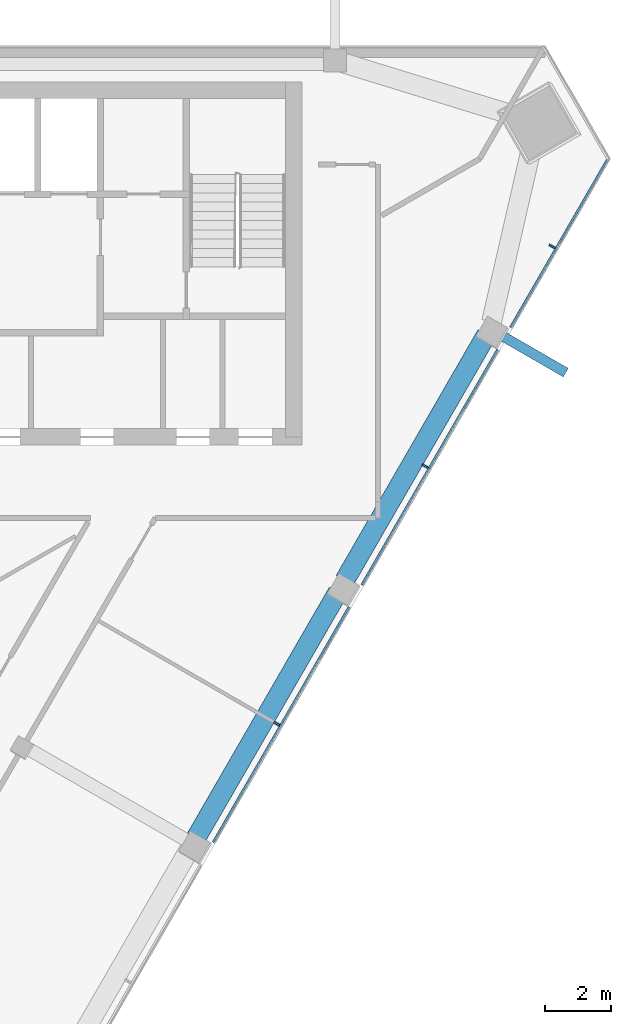
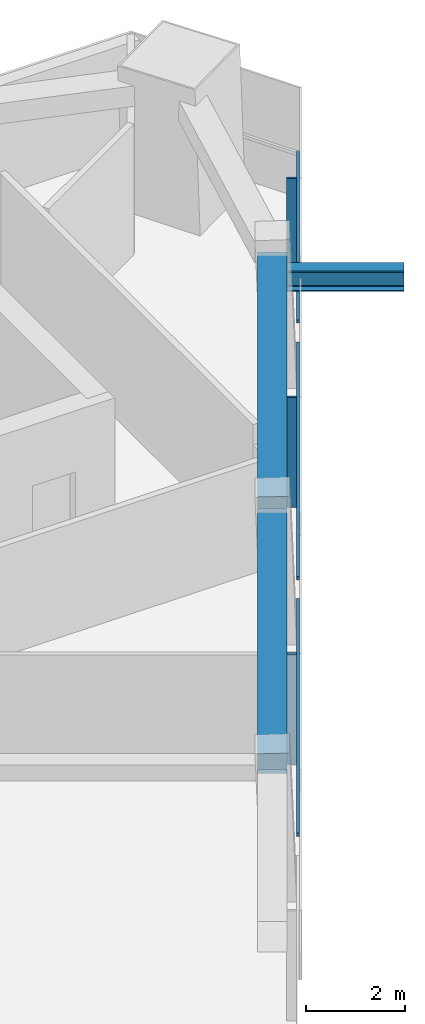
# One storey, part 4 of 9: 7 members, 2 beams, 1 element without a shape of its own.
"""IFC4 building model written with IfcOpenShell, lengths in metres."""

from ifc_helpers import new_model, si_unit, direction, frame, origin, origin_2d, place, context, subcontext, project, spatial, rectangle, i_section, extrude, material, layer, layer_set, material_profile, profile_set, type_object, element, aggregate, save


model = new_model("IFC4")

# Units and contexts
model_context = context("Model", 3, precision=1e-05, world=origin(), true_north=direction((0.0, 1.0)))
body_context = subcontext(model_context, "Body", "Model", "MODEL_VIEW")
ifc_project = project(units=[si_unit("LENGTHUNIT", "METRE"), si_unit("AREAUNIT", "SQUARE_METRE"), si_unit("VOLUMEUNIT", "CUBIC_METRE"), si_unit("PLANEANGLEUNIT", "RADIAN"), si_unit("MASSUNIT", "GRAM", prefix="KILO")], contexts=[model_context])

# Site, building, storey
site_placement = place(None, origin())
site = spatial("IfcSite", under=ifc_project, at=site_placement, CompositionType="ELEMENT")
building_placement = place(site_placement, origin())
building = spatial("IfcBuilding", under=site, at=building_placement, Name="Altiplano Prism Tower", CompositionType="ELEMENT")
storey_placement = place(building_placement, frame((0.0, 0.0, 309.39990234375)))
storey = spatial("IfcBuildingStorey", under=building, at=storey_placement, Name="L80", CompositionType="ELEMENT", Elevation=309.39990234375)

# Member
ifc_material_1 = material(Name="Steel S355", Category="steel")
ifc_material_profile_1 = material_profile(ifc_material_1, i_section(OverallWidth=0.300048828125, OverallDepth=0.5, WebThickness=0.014404296875, FlangeThickness=0.028076171875, FilletRadius=0.027099609375, at=origin_2d()), Name="Brace bracket HEB 500")
ifc_profile_set_1 = profile_set([ifc_material_profile_1], Name="Steel S355")
member_type_1 = type_object("IfcMemberType", Name="Brace bracket HEB 500", PredefinedType="STRUT", material=ifc_profile_set_1)
member_1_placement = place(storey_placement, frame((103.192138671875, 96.423095703125, 2.4365234375), z_axis=(0.866029095148, -0.499993606316, 0.0), x_axis=(0.499993606316, 0.866029095148, 0.0)))
element("IfcMember", 1, at=member_1_placement, inside=storey, type_object=member_type_1, Name="Brace bracket 2.313", PredefinedType="STRUT", context=body_context, shape_type="SweptSolid", body=[
    extrude(i_section(OverallWidth=0.300048828125, OverallDepth=0.5, WebThickness=0.014404296875, FlangeThickness=0.028076171875, FilletRadius=0.027099609375, at=origin_2d()), origin(), (0.0, 0.0, 1.0), 2.64990234375),
])

# Curtain wall, members
ifc_material_2 = material(Name="Aluminium and glass", Category="aluminium")
ifc_layer = layer(ifc_material_2, 0.303955078125)
ifc_layer_set = layer_set([ifc_layer], Name="Aluminium and glass")
curtain_wall_type = type_object("IfcCurtainWallType", Name="CW2 lounge-band unitised glazing", PredefinedType="NOTDEFINED", material=ifc_layer_set)
curtain_wall_placement = place(storey_placement, origin())
curtain_wall = element("IfcCurtainWall", 2, at=curtain_wall_placement, inside=storey, type_object=curtain_wall_type, Name="CW2 curtain wall south-east face L80", PredefinedType="NOTDEFINED")
ifc_material_3 = material(Name="Aluminium", Category="aluminium")
ifc_material_profile_2 = material_profile(ifc_material_3, rectangle(XDim=0.199951171875, YDim=0.06005859375, at=origin_2d()), Name="CW2 mullion 60 x 200")
ifc_profile_set_2 = profile_set([ifc_material_profile_2], Name="Aluminium")
member_type_2 = type_object("IfcMemberType", Name="CW2 mullion 60 x 200", PredefinedType="MULLION", material=ifc_profile_set_2)
member_2_placement = place(storey_placement, frame((96.735107421875, 84.47021484375, 0.0), z_axis=(0.0, 0.0, 1.0), x_axis=(-0.866025402702, 0.500000001874, 0.0)))
member_2 = element("IfcMember", 3, at=member_2_placement, type_object=member_type_2, Name="CW2 mullion", PredefinedType="MULLION", context=body_context, shape_type="SweptSolid", body=[
    extrude(rectangle(XDim=0.199951171875, YDim=0.06005859375, at=origin_2d()), origin(), (0.0, 0.0, 1.0), 2.7001953125),
])
member_3_placement = place(storey_placement, frame((101.235107421875, 92.264404296875, 0.0), z_axis=(0.0, 0.0, 1.0), x_axis=(-0.866025402702, 0.500000001874, 0.0)))
member_3 = element("IfcMember", 4, at=member_3_placement, type_object=member_type_2, Name="CW2 mullion", PredefinedType="MULLION", context=body_context, shape_type="SweptSolid", body=[
    extrude(rectangle(XDim=0.199951171875, YDim=0.06005859375, at=origin_2d()), origin(), (0.0, 0.0, 1.0), 2.7001953125),
])
member_4_placement = place(storey_placement, frame((105.075439453125, 98.916015625, 0.0), z_axis=(0.0, 0.0, 1.0), x_axis=(-0.866025402702, 0.500000001874, 0.0)))
member_4 = element("IfcMember", 5, at=member_4_placement, type_object=member_type_2, Name="CW2 mullion", PredefinedType="MULLION", context=body_context, shape_type="SweptSolid", body=[
    extrude(rectangle(XDim=0.199951171875, YDim=0.06005859375, at=origin_2d()), origin(), (0.0, 0.0, 1.0), 2.7001953125),
])
ifc_material_profile_3 = material_profile(ifc_material_3, rectangle(XDim=0.06005859375, YDim=0.080078125, at=origin_2d()), Name="CW2 transom 80 x 60")
ifc_profile_set_3 = profile_set([ifc_material_profile_3], Name="Aluminium")
member_type_3 = type_object("IfcMemberType", Name="CW2 transom 80 x 60", PredefinedType="USERDEFINED", material=ifc_profile_set_3)
member_5_placement = place(storey_placement, frame((94.8125, 80.880126953125, 1.10009765625), z_axis=(0.499991554064, 0.866030279993, 0.0), x_axis=(-0.866030279993, 0.499991554064, 0.0)))
member_5 = element("IfcMember", 6, at=member_5_placement, type_object=member_type_3, Name="CW2 transom", ObjectType="TRANSOM", PredefinedType="USERDEFINED", context=body_context, shape_type="SweptSolid", body=[
    extrude(rectangle(XDim=0.06005859375, YDim=0.080078125, at=origin_2d()), origin(), (0.0, 0.0, 1.0), 8.219970703125),
])
member_6_placement = place(storey_placement, frame((99.3125, 88.67431640625, 1.10009765625), z_axis=(0.499991554064, 0.866030279993, 0.0), x_axis=(-0.866030279993, 0.499991554064, 0.0)))
member_6 = element("IfcMember", 7, at=member_6_placement, type_object=member_type_3, Name="CW2 transom", ObjectType="TRANSOM", PredefinedType="USERDEFINED", context=body_context, shape_type="SweptSolid", body=[
    extrude(rectangle(XDim=0.06005859375, YDim=0.080078125, at=origin_2d()), origin(), (0.0, 0.0, 1.0), 8.219970703125),
])
member_7_placement = place(storey_placement, frame((103.8125, 96.468505859375, 1.10009765625), z_axis=(0.49998134429, 0.866036174396, 0.0), x_axis=(-0.866036174396, 0.49998134429, 0.0)))
member_7 = element("IfcMember", 8, at=member_7_placement, type_object=member_type_3, Name="CW2 transom", ObjectType="TRANSOM", PredefinedType="USERDEFINED", context=body_context, shape_type="SweptSolid", body=[
    extrude(rectangle(XDim=0.06005859375, YDim=0.080078125, at=origin_2d()), origin(), (0.0, 0.0, 1.0), 5.931884765625),
])
aggregate(curtain_wall, [member_2, member_5, member_3, member_6, member_4, member_7])

# Beams
ifc_material_4 = material(Name="Concrete C60/75", Category="concrete")
ifc_material_profile_4 = material_profile(ifc_material_4, rectangle(XDim=0.60009765625, YDim=0.5, at=origin_2d()), Name="Edge beam 600x500")
ifc_profile_set_4 = profile_set([ifc_material_profile_4], Name="Concrete C60/75")
beam_type = type_object("IfcBeamType", Name="Edge beam 600x500", PredefinedType="SPANDREL", material=ifc_profile_set_4)
for number, where, z_axis, x_axis, name in (
    (9, (94.294677734375, 81.01220703125, 2.9501953125), (0.499990619765, 0.866030819398, 0.0), (-0.866030819398, 0.499990619765, 0.0), "Edge beam P22-P23 L81"),
    (10, (98.794677734375, 88.806396484375, 2.9501953125), (0.499990619765, 0.866030819398, 0.0), (-0.866030819398, 0.499990619765, 0.0), "Edge beam P23-P24 L81"),
):
    element("IfcBeam", number, at=place(storey_placement, frame(where, z_axis=z_axis, x_axis=x_axis)), inside=storey, type_object=beam_type, Name=name, PredefinedType="SPANDREL", context=body_context, shape_type="SweptSolid", body=[
        extrude(rectangle(XDim=0.60009765625, YDim=0.5, at=origin_2d()), origin(), (0.0, 0.0, 1.0), 8.590087890625),
    ])

save(model, "model.ifc")
